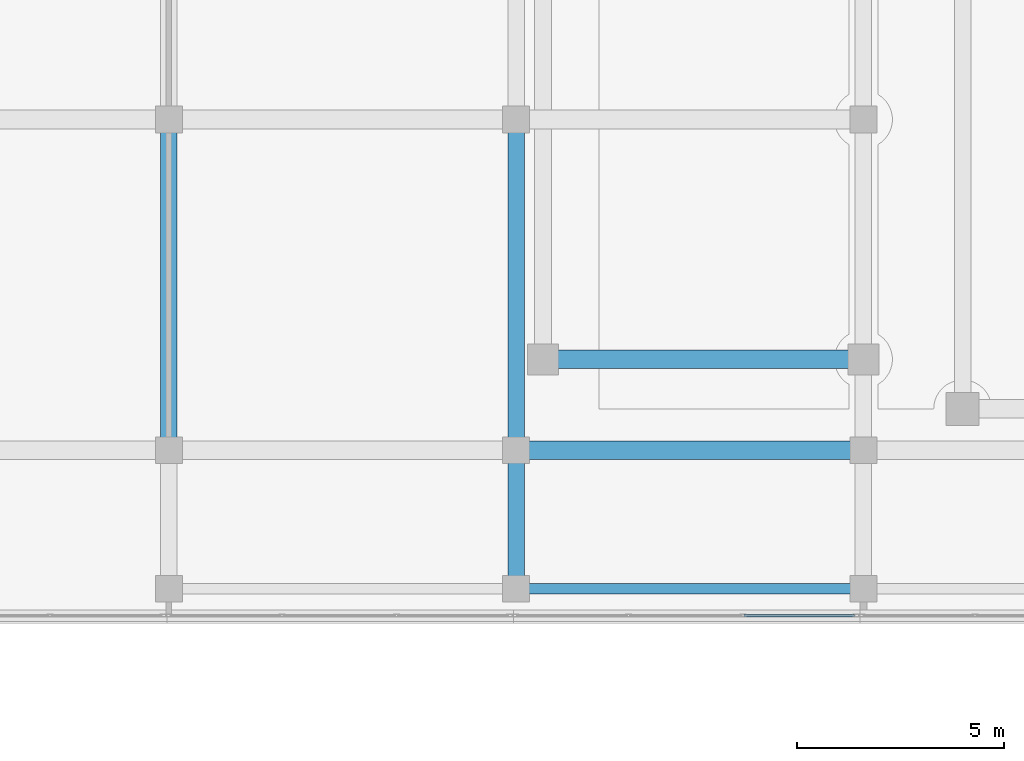
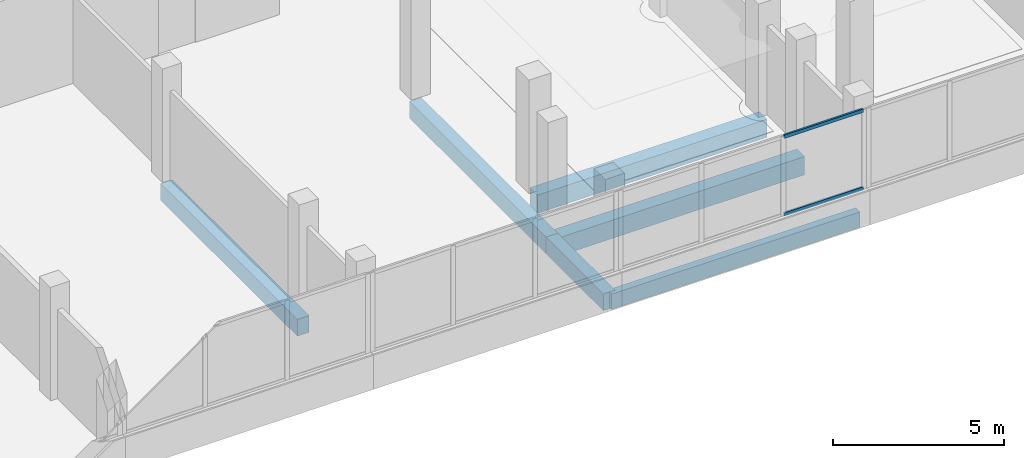
# One storey, part 7 of 76: 6 beams, 2 members, 1 element without a shape of its own.
"""IFC4 building model written with IfcOpenShell, lengths in metres."""

from ifc_helpers import new_model, si_unit, direction, frame, origin, origin_2d, place, context, subcontext, project, spatial, rectangle, hollow_rectangle, extrude, material, material_profile, profile_set, type_object, element, aggregate, save


model = new_model("IFC4")

# Units and contexts
model_context = context("Model", 3, precision=1e-05, world=origin(), true_north=direction((0.0, 1.0)))
body_context = subcontext(model_context, "Body", "Model", "MODEL_VIEW")
ifc_project = project(units=[si_unit("LENGTHUNIT", "METRE"), si_unit("AREAUNIT", "SQUARE_METRE"), si_unit("VOLUMEUNIT", "CUBIC_METRE"), si_unit("PLANEANGLEUNIT", "RADIAN"), si_unit("MASSUNIT", "GRAM", prefix="KILO")], contexts=[model_context])

# Site, building, storey
site_placement = place(None, origin())
site = spatial("IfcSite", under=ifc_project, at=site_placement, CompositionType="ELEMENT")
building_placement = place(site_placement, origin())
building = spatial("IfcBuilding", under=site, at=building_placement, Name="Selatvlak General Hospital", CompositionType="ELEMENT")
storey_placement = place(building_placement, frame((0.0, 0.0, 27.300048828125)))
storey = spatial("IfcBuildingStorey", under=building, at=storey_placement, Name="L06", CompositionType="ELEMENT", Elevation=27.300048828125)

# Beams
ifc_material_1 = material(Name="Concrete C40/50", Category="concrete")
ifc_material_profile_1 = material_profile(ifc_material_1, rectangle(XDim=0.449951171875, YDim=0.64990234375, at=origin_2d()), Name="RC-BM 450x650")
ifc_profile_set_1 = profile_set([ifc_material_profile_1], Name="Concrete C40/50")
beam_type_1 = type_object("IfcBeamType", Name="BM-G04", PredefinedType="BEAM", material=ifc_profile_set_1)
beam_1_placement = place(storey_placement, frame((48.0, 92.0, -0.60009765625), z_axis=(1.0, 0.0, 0.0), x_axis=(0.0, 1.0, 0.0)))
element("IfcBeam", 1, at=beam_1_placement, inside=storey, type_object=beam_type_1, Name="Beam BMR-L06-2165", PredefinedType="BEAM", context=body_context, shape_type="SweptSolid", body=[
    extrude(rectangle(XDim=0.449951171875, YDim=0.64990234375, at=origin_2d()), origin(), (0.0, 0.0, 1.0), 8.39990234375),
])
beam_2_placement = place(storey_placement, frame((48.64990234375, 94.199951171875, -0.60009765625), z_axis=(1.0, 0.0, 0.0), x_axis=(0.0, 1.0, 0.0)))
element("IfcBeam", 2, at=beam_2_placement, inside=storey, type_object=beam_type_1, Name="Beam BMR-L06-2184", PredefinedType="BEAM", context=body_context, shape_type="SweptSolid", body=[
    extrude(rectangle(XDim=0.449951171875, YDim=0.64990234375, at=origin_2d()), origin(), (0.0, 0.0, 1.0), 7.75),
])
ifc_material_profile_2 = material_profile(ifc_material_1, rectangle(XDim=0.39990234375, YDim=0.60009765625, at=origin_2d()), Name="RC-BM 400x600")
ifc_profile_set_2 = profile_set([ifc_material_profile_2], Name="Concrete C40/50")
beam_type_2 = type_object("IfcBeamType", Name="BM-G05", PredefinedType="BEAM", material=ifc_profile_set_2)
beam_3_placement = place(storey_placement, frame((39.60009765625, 92.0, -0.574951171875), z_axis=(0.0, 1.0, 0.0), x_axis=(-1.0, 0.0, 0.0)))
element("IfcBeam", 3, at=beam_3_placement, inside=storey, type_object=beam_type_2, Name="Beam BMR-L06-2251", PredefinedType="BEAM", context=body_context, shape_type="SweptSolid", body=[
    extrude(rectangle(XDim=0.39990234375, YDim=0.60009765625, at=origin_2d()), origin(), (0.0, 0.0, 1.0), 8.0),
])
beam_4_placement = place(storey_placement, frame((48.0, 88.64990234375, -0.574951171875), z_axis=(0.0, 1.0, 0.0), x_axis=(-1.0, 0.0, 0.0)))
element("IfcBeam", 4, at=beam_4_placement, inside=storey, type_object=beam_type_2, Name="Beam BMR-L06-2255", PredefinedType="BEAM", context=body_context, shape_type="SweptSolid", body=[
    extrude(rectangle(XDim=0.39990234375, YDim=0.60009765625, at=origin_2d()), origin(), (0.0, 0.0, 1.0), 3.35009765625),
])
beam_5_placement = place(storey_placement, frame((48.0, 92.0, -0.574951171875), z_axis=(0.0, 1.0, 0.0), x_axis=(-1.0, 0.0, 0.0)))
element("IfcBeam", 5, at=beam_5_placement, inside=storey, type_object=beam_type_2, Name="Beam BMR-L06-2256", PredefinedType="BEAM", context=body_context, shape_type="SweptSolid", body=[
    extrude(rectangle(XDim=0.39990234375, YDim=0.60009765625, at=origin_2d()), origin(), (0.0, 0.0, 1.0), 8.0),
])
ifc_material_profile_3 = material_profile(ifc_material_1, rectangle(XDim=0.25, YDim=0.550048828125, at=origin_2d()), Name="RC-SP 250x550")
ifc_profile_set_3 = profile_set([ifc_material_profile_3], Name="Concrete C40/50")
beam_type_3 = type_object("IfcBeamType", Name="BM-SP2", PredefinedType="SPANDREL", material=ifc_profile_set_3)
beam_6_placement = place(storey_placement, frame((48.0, 88.64990234375, -0.550048828125), z_axis=(1.0, 0.0, 0.0), x_axis=(0.0, 1.0, 0.0)))
element("IfcBeam", 6, at=beam_6_placement, inside=storey, type_object=beam_type_3, Name="Beam BMR-L06-2146", PredefinedType="SPANDREL", context=body_context, shape_type="SweptSolid", body=[
    extrude(rectangle(XDim=0.25, YDim=0.550048828125, at=origin_2d()), origin(), (0.0, 0.0, 1.0), 8.39990234375),
])

# Curtain wall, members
ifc_material_2 = material(Name="Solar-control Low-E double glazing", Category="glass")
curtain_wall_type = type_object("IfcCurtainWallType", Name="CW-CW-01", PredefinedType="USERDEFINED", material=ifc_material_2)
curtain_wall_placement = place(storey_placement, origin())
curtain_wall = element("IfcCurtainWall", 7, at=curtain_wall_placement, inside=storey, type_object=curtain_wall_type, Name="Glazed facade curtain wall CW-L06-0635", ObjectType="UNITISED CURTAIN WALL", PredefinedType="USERDEFINED")
ifc_material_3 = material(Name="Dark anodised aluminium mullion", Category="aluminium")
ifc_material_profile_4 = material_profile(ifc_material_3, hollow_rectangle(XDim=0.06494140625, YDim=0.1201171875, WallThickness=0.00390625, at=origin_2d()), Name="AL-TRN 65x120x4")
ifc_profile_set_4 = profile_set([ifc_material_profile_4], Name="Dark anodised aluminium mullion")
member_type = type_object("IfcMemberType", Name="CWT-01", PredefinedType="USERDEFINED", material=ifc_profile_set_4)
member_1_placement = place(storey_placement, frame((56.18603515625, 88.0, 0.972412109375), z_axis=(-1.0, 0.0, 0.0), x_axis=(0.0, -1.0, 0.0)))
member_1 = element("IfcMember", 8, at=member_1_placement, type_object=member_type, Name="CW-01 transom 1.1", ObjectType="TRANSOM", PredefinedType="USERDEFINED", context=body_context, shape_type="SweptSolid", body=[
    extrude(hollow_rectangle(XDim=0.06494140625, YDim=0.1201171875, WallThickness=0.00390625, at=origin_2d()), origin(), (0.0, 0.0, 1.0), 2.6689453125),
])
member_2_placement = place(storey_placement, frame((56.18603515625, 88.0, 3.74755859375), z_axis=(-1.0, 0.0, 0.0), x_axis=(0.0, -1.0, 0.0)))
member_2 = element("IfcMember", 9, at=member_2_placement, type_object=member_type, Name="CW-01 transom 1.2", ObjectType="TRANSOM", PredefinedType="USERDEFINED", context=body_context, shape_type="SweptSolid", body=[
    extrude(hollow_rectangle(XDim=0.06494140625, YDim=0.1201171875, WallThickness=0.00390625, at=origin_2d()), origin(), (0.0, 0.0, 1.0), 2.6689453125),
])
aggregate(curtain_wall, [member_1, member_2])

save(model, "model.ifc")
